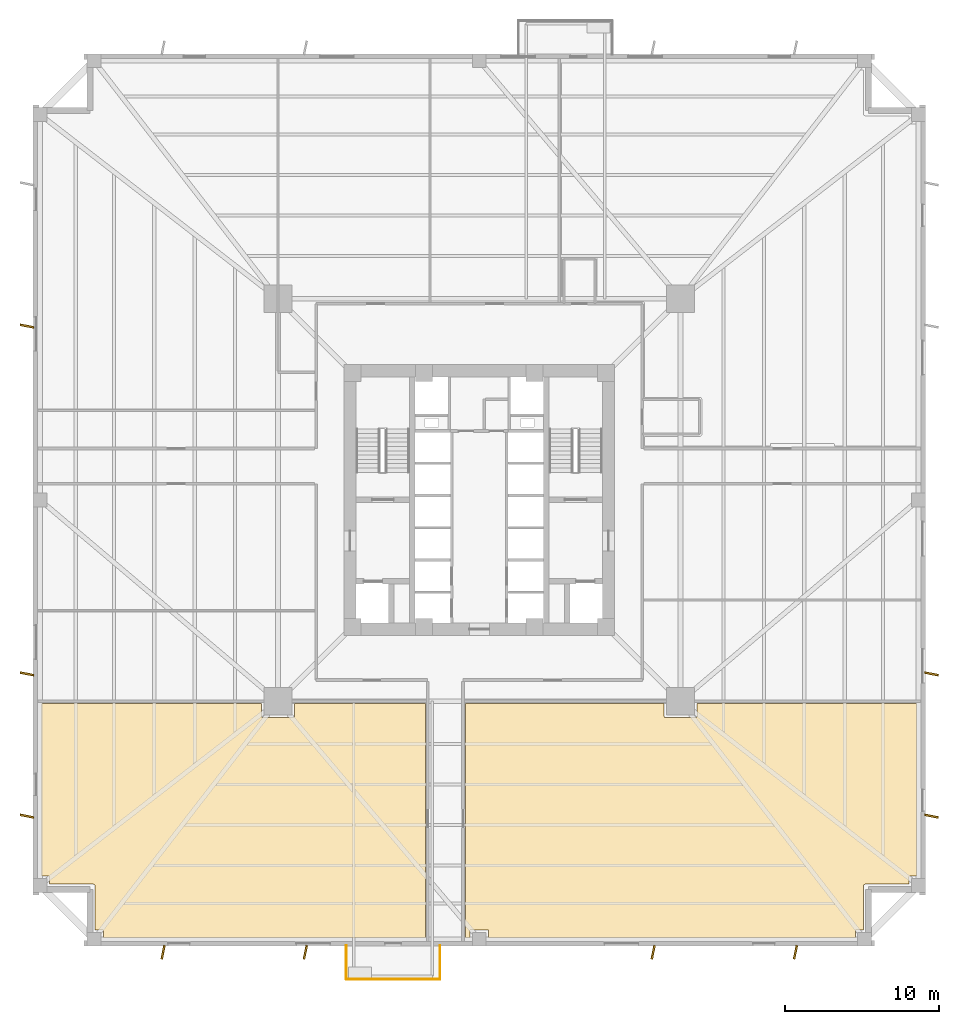
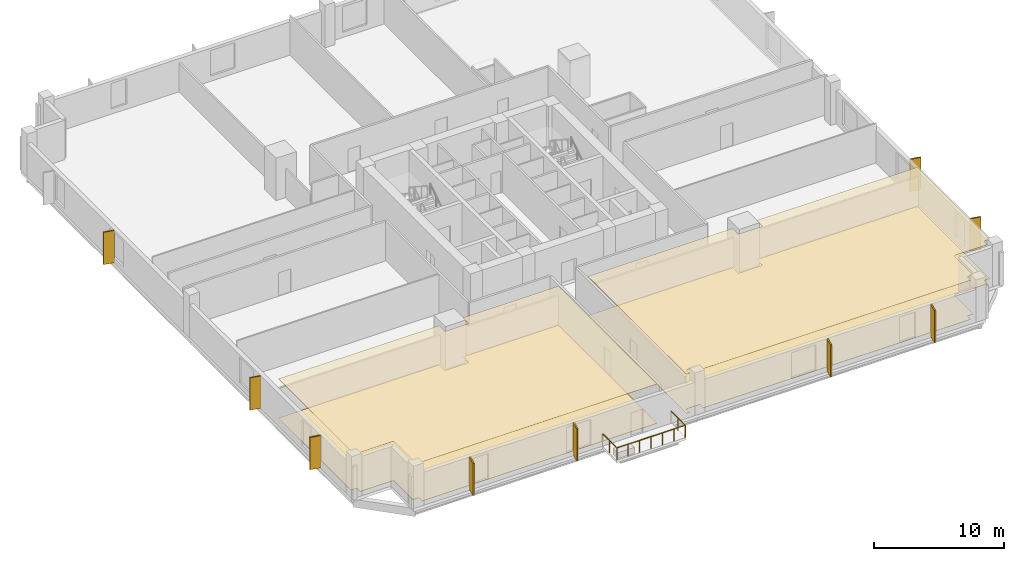
# One storey, part 6 of 8: 13 coverings, 3 railings.
"""IFC4 building model written with IfcOpenShell, lengths in metres."""

from ifc_helpers import new_model, si_unit, direction, frame, origin, origin_2d, place, context, subcontext, project, spatial, polyline, rectangle, circle, outline, extrude, source, transform, mapped, material, layer, layer_set, type_object, element, save


model = new_model("IFC4")

# Units and contexts
model_context = context("Model", 3, precision=1e-05, world=origin(), true_north=direction((0.0, 1.0)))
body_context = subcontext(model_context, "Body", "Model", "MODEL_VIEW")
ifc_project = project(units=[si_unit("LENGTHUNIT", "METRE"), si_unit("AREAUNIT", "SQUARE_METRE"), si_unit("VOLUMEUNIT", "CUBIC_METRE"), si_unit("PLANEANGLEUNIT", "RADIAN"), si_unit("MASSUNIT", "GRAM", prefix="KILO"), si_unit("THERMODYNAMICTEMPERATUREUNIT", "KELVIN")], contexts=[model_context])

# Site, building, storey
site_placement = place(None, origin())
site = spatial("IfcSite", under=ifc_project, at=site_placement, CompositionType="ELEMENT")
building_placement = place(site_placement, origin())
building = spatial("IfcBuilding", under=site, at=building_placement, Name="Kosmvard Interchange Tower", CompositionType="ELEMENT")
storey_placement = place(building_placement, frame((0.0, 0.0, 66.0)))
storey = spatial("IfcBuildingStorey", under=building, at=storey_placement, Name="L15", CompositionType="ELEMENT", Elevation=66.0)

# Coverings
ifc_material_1 = material(Name="Acoustic gypsum ceiling tile")
ifc_layer_1 = layer(ifc_material_1, 0.02490234375, Name="Acoustic gypsum ceiling tile")
ifc_layer_set_1 = layer_set([ifc_layer_1], Name="Acoustic gypsum ceiling tile")
covering_type_1 = type_object("IfcCoveringType", Name="Acoustic Perforated Suspended Ceiling 25", PredefinedType="CEILING", material=ifc_layer_set_1)
covering_1_placement = place(storey_placement, frame((0.0, 0.0, 3.695068359375)))
element("IfcCovering", 1, at=covering_1_placement, inside=storey, type_object=covering_type_1, Name="L15 Acoustic Ceiling L15-OFF3", PredefinedType="CEILING", context=body_context, shape_type="SweptSolid", body=[
    extrude(outline(polyline([(12.02099609375, -14.06103515625), (12.02099609375, -13.240966796875), (-0.89501953125, -13.240966796875), (-0.89501953125, -28.465087890625), (-0.610107421875, -28.465087890625), (-0.610107421875, -28.02001953125), (-0.609619140625, -28.01220703125), (-0.6083984375, -28.00439453125), (-0.6064453125, -27.996826171875), (-0.60400390625, -27.989501953125), (-0.6005859375, -27.982177734375), (-0.596435546875, -27.9755859375), (-0.591796875, -27.96923828125), (-0.586669921875, -27.96337890625), (-0.580810546875, -27.958251953125), (-0.574462890625, -27.953369140625), (-0.567626953125, -27.949462890625), (-0.560546875, -27.946044921875), (-0.55322265625, -27.943359375), (-0.545654296875, -27.941650390625), (-0.537841796875, -27.9404296875), (-0.530029296875, -27.93994140625), (0.530029296875, -27.93994140625), (0.537841796875, -27.9404296875), (0.545654296875, -27.941650390625), (0.55322265625, -27.943359375), (0.560546875, -27.946044921875), (0.567626953125, -27.949462890625), (0.574462890625, -27.953369140625), (0.580810546875, -27.958251953125), (0.586669921875, -27.96337890625), (0.591796875, -27.96923828125), (0.596435546875, -27.9755859375), (0.6005859375, -27.982177734375), (0.60400390625, -27.989501953125), (0.6064453125, -27.996826171875), (0.6083984375, -28.00439453125), (0.609619140625, -28.01220703125), (0.610107421875, -28.02001953125), (0.610107421875, -28.465087890625), (24.43994140625, -28.465087890625), (24.43994140625, -28.02001953125), (24.4404296875, -28.01220703125), (24.441650390625, -28.00439453125), (24.443359375, -27.996826171875), (24.446044921875, -27.989501953125), (24.449462890625, -27.982177734375), (24.453369140625, -27.9755859375), (24.458251953125, -27.96923828125), (24.46337890625, -27.96337890625), (24.46923828125, -27.958251953125), (24.4755859375, -27.953369140625), (24.482177734375, -27.949462890625), (24.489501953125, -27.946044921875), (24.496826171875, -27.943359375), (24.50439453125, -27.941650390625), (24.51220703125, -27.9404296875), (24.52001953125, -27.93994140625), (24.965087890625, -27.93994140625), (24.965087890625, -25.1201171875), (24.965087890625, -25.1162109375), (24.965576171875, -25.108642578125), (24.96630859375, -25.100830078125), (24.96728515625, -25.09375), (24.96875, -25.0859375), (24.970703125, -25.078857421875), (24.972900390625, -25.0712890625), (24.975341796875, -25.064453125), (24.978515625, -25.05712890625), (24.9814453125, -25.05029296875), (24.985107421875, -25.043701171875), (24.989013671875, -25.037353515625), (24.993408203125, -25.03076171875), (24.997802734375, -25.02490234375), (25.002685546875, -25.0185546875), (25.0078125, -25.01318359375), (25.01318359375, -25.0078125), (25.0185546875, -25.002685546875), (25.02490234375, -24.997802734375), (25.03076171875, -24.993408203125), (25.037353515625, -24.989013671875), (25.043701171875, -24.985107421875), (25.05029296875, -24.9814453125), (25.05712890625, -24.978515625), (25.064453125, -24.975341796875), (25.0712890625, -24.972900390625), (25.078857421875, -24.970703125), (25.0859375, -24.96875), (25.09375, -24.96728515625), (25.100830078125, -24.96630859375), (25.108642578125, -24.965576171875), (25.1162109375, -24.965087890625), (25.1201171875, -24.965087890625), (27.93994140625, -24.965087890625), (27.93994140625, -24.52001953125), (27.9404296875, -24.51220703125), (27.941650390625, -24.50439453125), (27.943359375, -24.496826171875), (27.946044921875, -24.489501953125), (27.949462890625, -24.482177734375), (27.953369140625, -24.4755859375), (27.958251953125, -24.46923828125), (27.96337890625, -24.46337890625), (27.96923828125, -24.458251953125), (27.9755859375, -24.453369140625), (27.982177734375, -24.449462890625), (27.989501953125, -24.446044921875), (27.996826171875, -24.443359375), (28.00439453125, -24.441650390625), (28.01220703125, -24.4404296875), (28.02001953125, -24.43994140625), (28.465087890625, -24.43994140625), (28.465087890625, -13.240966796875), (14.14111328125, -13.240966796875), (14.14111328125, -14.06103515625), (14.140625, -14.06884765625), (14.139404296875, -14.07666015625), (14.137451171875, -14.084228515625), (14.135009765625, -14.091552734375), (14.131591796875, -14.0986328125), (14.12744140625, -14.10546875), (14.122802734375, -14.11181640625), (14.11767578125, -14.11767578125), (14.11181640625, -14.122802734375), (14.10546875, -14.12744140625), (14.0986328125, -14.131591796875), (14.091552734375, -14.135009765625), (14.084228515625, -14.137451171875), (14.07666015625, -14.139404296875), (14.06884765625, -14.140625), (14.06103515625, -14.14111328125), (12.10107421875, -14.14111328125), (12.09326171875, -14.140625), (12.08544921875, -14.139404296875), (12.077880859375, -14.137451171875), (12.0703125, -14.135009765625), (12.063232421875, -14.131591796875), (12.056640625, -14.12744140625), (12.05029296875, -14.122802734375), (12.04443359375, -14.11767578125), (12.0390625, -14.11181640625), (12.034423828125, -14.10546875), (12.030517578125, -14.0986328125), (12.027099609375, -14.091552734375), (12.0244140625, -14.084228515625), (12.0224609375, -14.07666015625), (12.021484375, -14.06884765625), (12.02099609375, -14.06103515625)])), origin(), (0.0, 0.0, 1.0), 0.02490234375),
])
covering_2_placement = place(storey_placement, frame((0.0, 0.0, 3.695068359375)))
element("IfcCovering", 2, at=covering_2_placement, inside=storey, type_object=covering_type_1, Name="L15 Acoustic Ceiling L15-OFF5", PredefinedType="CEILING", context=body_context, shape_type="SweptSolid", body=[
    extrude(outline(polyline([(-24.965087890625, -27.93994140625), (-24.52001953125, -27.93994140625), (-24.51220703125, -27.9404296875), (-24.50439453125, -27.941650390625), (-24.496826171875, -27.943359375), (-24.489501953125, -27.946044921875), (-24.482177734375, -27.949462890625), (-24.4755859375, -27.953369140625), (-24.46923828125, -27.958251953125), (-24.46337890625, -27.96337890625), (-24.458251953125, -27.96923828125), (-24.453369140625, -27.9755859375), (-24.449462890625, -27.982177734375), (-24.446044921875, -27.989501953125), (-24.443359375, -27.996826171875), (-24.441650390625, -28.00439453125), (-24.4404296875, -28.01220703125), (-24.43994140625, -28.02001953125), (-24.43994140625, -28.465087890625), (-3.5048828125, -28.465087890625), (-3.5048828125, -13.240966796875), (-12.02099609375, -13.240966796875), (-12.02099609375, -14.06103515625), (-12.021484375, -14.06884765625), (-12.0224609375, -14.07666015625), (-12.0244140625, -14.084228515625), (-12.027099609375, -14.091552734375), (-12.030517578125, -14.0986328125), (-12.034423828125, -14.10546875), (-12.0390625, -14.11181640625), (-12.04443359375, -14.11767578125), (-12.05029296875, -14.122802734375), (-12.056640625, -14.12744140625), (-12.063232421875, -14.131591796875), (-12.0703125, -14.135009765625), (-12.077880859375, -14.137451171875), (-12.08544921875, -14.139404296875), (-12.09326171875, -14.140625), (-12.10107421875, -14.14111328125), (-14.06103515625, -14.14111328125), (-14.06884765625, -14.140625), (-14.07666015625, -14.139404296875), (-14.084228515625, -14.137451171875), (-14.091552734375, -14.135009765625), (-14.0986328125, -14.131591796875), (-14.10546875, -14.12744140625), (-14.11181640625, -14.122802734375), (-14.11767578125, -14.11767578125), (-14.122802734375, -14.11181640625), (-14.12744140625, -14.10546875), (-14.131591796875, -14.0986328125), (-14.135009765625, -14.091552734375), (-14.137451171875, -14.084228515625), (-14.139404296875, -14.07666015625), (-14.140625, -14.06884765625), (-14.14111328125, -14.06103515625), (-14.14111328125, -13.240966796875), (-28.465087890625, -13.240966796875), (-28.465087890625, -24.43994140625), (-28.02001953125, -24.43994140625), (-28.01220703125, -24.4404296875), (-28.00439453125, -24.441650390625), (-27.996826171875, -24.443359375), (-27.989501953125, -24.446044921875), (-27.982177734375, -24.449462890625), (-27.9755859375, -24.453369140625), (-27.96923828125, -24.458251953125), (-27.96337890625, -24.46337890625), (-27.958251953125, -24.46923828125), (-27.953369140625, -24.4755859375), (-27.949462890625, -24.482177734375), (-27.946044921875, -24.489501953125), (-27.943359375, -24.496826171875), (-27.941650390625, -24.50439453125), (-27.9404296875, -24.51220703125), (-27.93994140625, -24.52001953125), (-27.93994140625, -24.965087890625), (-25.1201171875, -24.965087890625), (-25.1162109375, -24.965087890625), (-25.108642578125, -24.965576171875), (-25.100830078125, -24.96630859375), (-25.09375, -24.96728515625), (-25.0859375, -24.96875), (-25.078857421875, -24.970703125), (-25.0712890625, -24.972900390625), (-25.064453125, -24.975341796875), (-25.05712890625, -24.978515625), (-25.05029296875, -24.9814453125), (-25.043701171875, -24.985107421875), (-25.037353515625, -24.989013671875), (-25.03076171875, -24.993408203125), (-25.02490234375, -24.997802734375), (-25.0185546875, -25.002685546875), (-25.01318359375, -25.0078125), (-25.0078125, -25.01318359375), (-25.002685546875, -25.0185546875), (-24.997802734375, -25.02490234375), (-24.993408203125, -25.03076171875), (-24.989013671875, -25.037353515625), (-24.985107421875, -25.043701171875), (-24.9814453125, -25.05029296875), (-24.978515625, -25.05712890625), (-24.975341796875, -25.064453125), (-24.972900390625, -25.0712890625), (-24.970703125, -25.078857421875), (-24.96875, -25.0859375), (-24.96728515625, -25.09375), (-24.96630859375, -25.100830078125), (-24.965576171875, -25.108642578125), (-24.965087890625, -25.1162109375), (-24.965087890625, -25.1201171875), (-24.965087890625, -27.93994140625)])), origin(), (0.0, 0.0, 1.0), 0.02490234375),
])
ifc_material_2 = material(Name="Polished terrazzo flooring")
ifc_layer_2 = layer(ifc_material_2, 0.030029296875, Name="Polished terrazzo flooring")
ifc_layer_set_2 = layer_set([ifc_layer_2], Name="Polished terrazzo flooring")
covering_type_2 = type_object("IfcCoveringType", Name="Heavy-Duty Terrazzo & Porcelain Flooring 30", PredefinedType="FLOORING", material=ifc_layer_set_2)
covering_3_placement = place(storey_placement, origin())
element("IfcCovering", 3, at=covering_3_placement, inside=storey, type_object=covering_type_2, Name="L15 Floor Finish L15-OFF3", PredefinedType="FLOORING", context=body_context, shape_type="SweptSolid", body=[
    extrude(outline(polyline([(12.02099609375, -14.06103515625), (12.02099609375, -13.240966796875), (-0.89501953125, -13.240966796875), (-0.89501953125, -28.465087890625), (-0.610107421875, -28.465087890625), (-0.610107421875, -28.02001953125), (-0.609619140625, -28.01220703125), (-0.6083984375, -28.00439453125), (-0.6064453125, -27.996826171875), (-0.60400390625, -27.989501953125), (-0.6005859375, -27.982177734375), (-0.596435546875, -27.9755859375), (-0.591796875, -27.96923828125), (-0.586669921875, -27.96337890625), (-0.580810546875, -27.958251953125), (-0.574462890625, -27.953369140625), (-0.567626953125, -27.949462890625), (-0.560546875, -27.946044921875), (-0.55322265625, -27.943359375), (-0.545654296875, -27.941650390625), (-0.537841796875, -27.9404296875), (-0.530029296875, -27.93994140625), (0.530029296875, -27.93994140625), (0.537841796875, -27.9404296875), (0.545654296875, -27.941650390625), (0.55322265625, -27.943359375), (0.560546875, -27.946044921875), (0.567626953125, -27.949462890625), (0.574462890625, -27.953369140625), (0.580810546875, -27.958251953125), (0.586669921875, -27.96337890625), (0.591796875, -27.96923828125), (0.596435546875, -27.9755859375), (0.6005859375, -27.982177734375), (0.60400390625, -27.989501953125), (0.6064453125, -27.996826171875), (0.6083984375, -28.00439453125), (0.609619140625, -28.01220703125), (0.610107421875, -28.02001953125), (0.610107421875, -28.465087890625), (24.43994140625, -28.465087890625), (24.43994140625, -28.02001953125), (24.4404296875, -28.01220703125), (24.441650390625, -28.00439453125), (24.443359375, -27.996826171875), (24.446044921875, -27.989501953125), (24.449462890625, -27.982177734375), (24.453369140625, -27.9755859375), (24.458251953125, -27.96923828125), (24.46337890625, -27.96337890625), (24.46923828125, -27.958251953125), (24.4755859375, -27.953369140625), (24.482177734375, -27.949462890625), (24.489501953125, -27.946044921875), (24.496826171875, -27.943359375), (24.50439453125, -27.941650390625), (24.51220703125, -27.9404296875), (24.52001953125, -27.93994140625), (24.965087890625, -27.93994140625), (24.965087890625, -25.1201171875), (24.965087890625, -25.1162109375), (24.965576171875, -25.108642578125), (24.96630859375, -25.100830078125), (24.96728515625, -25.09375), (24.96875, -25.0859375), (24.970703125, -25.078857421875), (24.972900390625, -25.0712890625), (24.975341796875, -25.064453125), (24.978515625, -25.05712890625), (24.9814453125, -25.05029296875), (24.985107421875, -25.043701171875), (24.989013671875, -25.037353515625), (24.993408203125, -25.03076171875), (24.997802734375, -25.02490234375), (25.002685546875, -25.0185546875), (25.0078125, -25.01318359375), (25.01318359375, -25.0078125), (25.0185546875, -25.002685546875), (25.02490234375, -24.997802734375), (25.03076171875, -24.993408203125), (25.037353515625, -24.989013671875), (25.043701171875, -24.985107421875), (25.05029296875, -24.9814453125), (25.05712890625, -24.978515625), (25.064453125, -24.975341796875), (25.0712890625, -24.972900390625), (25.078857421875, -24.970703125), (25.0859375, -24.96875), (25.09375, -24.96728515625), (25.100830078125, -24.96630859375), (25.108642578125, -24.965576171875), (25.1162109375, -24.965087890625), (25.1201171875, -24.965087890625), (27.93994140625, -24.965087890625), (27.93994140625, -24.52001953125), (27.9404296875, -24.51220703125), (27.941650390625, -24.50439453125), (27.943359375, -24.496826171875), (27.946044921875, -24.489501953125), (27.949462890625, -24.482177734375), (27.953369140625, -24.4755859375), (27.958251953125, -24.46923828125), (27.96337890625, -24.46337890625), (27.96923828125, -24.458251953125), (27.9755859375, -24.453369140625), (27.982177734375, -24.449462890625), (27.989501953125, -24.446044921875), (27.996826171875, -24.443359375), (28.00439453125, -24.441650390625), (28.01220703125, -24.4404296875), (28.02001953125, -24.43994140625), (28.465087890625, -24.43994140625), (28.465087890625, -13.240966796875), (14.14111328125, -13.240966796875), (14.14111328125, -14.06103515625), (14.140625, -14.06884765625), (14.139404296875, -14.07666015625), (14.137451171875, -14.084228515625), (14.135009765625, -14.091552734375), (14.131591796875, -14.0986328125), (14.12744140625, -14.10546875), (14.122802734375, -14.11181640625), (14.11767578125, -14.11767578125), (14.11181640625, -14.122802734375), (14.10546875, -14.12744140625), (14.0986328125, -14.131591796875), (14.091552734375, -14.135009765625), (14.084228515625, -14.137451171875), (14.07666015625, -14.139404296875), (14.06884765625, -14.140625), (14.06103515625, -14.14111328125), (12.10107421875, -14.14111328125), (12.09326171875, -14.140625), (12.08544921875, -14.139404296875), (12.077880859375, -14.137451171875), (12.0703125, -14.135009765625), (12.063232421875, -14.131591796875), (12.056640625, -14.12744140625), (12.05029296875, -14.122802734375), (12.04443359375, -14.11767578125), (12.0390625, -14.11181640625), (12.034423828125, -14.10546875), (12.030517578125, -14.0986328125), (12.027099609375, -14.091552734375), (12.0244140625, -14.084228515625), (12.0224609375, -14.07666015625), (12.021484375, -14.06884765625), (12.02099609375, -14.06103515625)])), origin(), (0.0, 0.0, 1.0), 0.030029296875),
])
covering_4_placement = place(storey_placement, origin())
element("IfcCovering", 4, at=covering_4_placement, inside=storey, type_object=covering_type_2, Name="L15 Floor Finish L15-OFF5", PredefinedType="FLOORING", context=body_context, shape_type="SweptSolid", body=[
    extrude(outline(polyline([(-24.965087890625, -27.93994140625), (-24.52001953125, -27.93994140625), (-24.51220703125, -27.9404296875), (-24.50439453125, -27.941650390625), (-24.496826171875, -27.943359375), (-24.489501953125, -27.946044921875), (-24.482177734375, -27.949462890625), (-24.4755859375, -27.953369140625), (-24.46923828125, -27.958251953125), (-24.46337890625, -27.96337890625), (-24.458251953125, -27.96923828125), (-24.453369140625, -27.9755859375), (-24.449462890625, -27.982177734375), (-24.446044921875, -27.989501953125), (-24.443359375, -27.996826171875), (-24.441650390625, -28.00439453125), (-24.4404296875, -28.01220703125), (-24.43994140625, -28.02001953125), (-24.43994140625, -28.465087890625), (-3.5048828125, -28.465087890625), (-3.5048828125, -13.240966796875), (-12.02099609375, -13.240966796875), (-12.02099609375, -14.06103515625), (-12.021484375, -14.06884765625), (-12.0224609375, -14.07666015625), (-12.0244140625, -14.084228515625), (-12.027099609375, -14.091552734375), (-12.030517578125, -14.0986328125), (-12.034423828125, -14.10546875), (-12.0390625, -14.11181640625), (-12.04443359375, -14.11767578125), (-12.05029296875, -14.122802734375), (-12.056640625, -14.12744140625), (-12.063232421875, -14.131591796875), (-12.0703125, -14.135009765625), (-12.077880859375, -14.137451171875), (-12.08544921875, -14.139404296875), (-12.09326171875, -14.140625), (-12.10107421875, -14.14111328125), (-14.06103515625, -14.14111328125), (-14.06884765625, -14.140625), (-14.07666015625, -14.139404296875), (-14.084228515625, -14.137451171875), (-14.091552734375, -14.135009765625), (-14.0986328125, -14.131591796875), (-14.10546875, -14.12744140625), (-14.11181640625, -14.122802734375), (-14.11767578125, -14.11767578125), (-14.122802734375, -14.11181640625), (-14.12744140625, -14.10546875), (-14.131591796875, -14.0986328125), (-14.135009765625, -14.091552734375), (-14.137451171875, -14.084228515625), (-14.139404296875, -14.07666015625), (-14.140625, -14.06884765625), (-14.14111328125, -14.06103515625), (-14.14111328125, -13.240966796875), (-28.465087890625, -13.240966796875), (-28.465087890625, -24.43994140625), (-28.02001953125, -24.43994140625), (-28.01220703125, -24.4404296875), (-28.00439453125, -24.441650390625), (-27.996826171875, -24.443359375), (-27.989501953125, -24.446044921875), (-27.982177734375, -24.449462890625), (-27.9755859375, -24.453369140625), (-27.96923828125, -24.458251953125), (-27.96337890625, -24.46337890625), (-27.958251953125, -24.46923828125), (-27.953369140625, -24.4755859375), (-27.949462890625, -24.482177734375), (-27.946044921875, -24.489501953125), (-27.943359375, -24.496826171875), (-27.941650390625, -24.50439453125), (-27.9404296875, -24.51220703125), (-27.93994140625, -24.52001953125), (-27.93994140625, -24.965087890625), (-25.1201171875, -24.965087890625), (-25.1162109375, -24.965087890625), (-25.108642578125, -24.965576171875), (-25.100830078125, -24.96630859375), (-25.09375, -24.96728515625), (-25.0859375, -24.96875), (-25.078857421875, -24.970703125), (-25.0712890625, -24.972900390625), (-25.064453125, -24.975341796875), (-25.05712890625, -24.978515625), (-25.05029296875, -24.9814453125), (-25.043701171875, -24.985107421875), (-25.037353515625, -24.989013671875), (-25.03076171875, -24.993408203125), (-25.02490234375, -24.997802734375), (-25.0185546875, -25.002685546875), (-25.01318359375, -25.0078125), (-25.0078125, -25.01318359375), (-25.002685546875, -25.0185546875), (-24.997802734375, -25.02490234375), (-24.993408203125, -25.03076171875), (-24.989013671875, -25.037353515625), (-24.985107421875, -25.043701171875), (-24.9814453125, -25.05029296875), (-24.978515625, -25.05712890625), (-24.975341796875, -25.064453125), (-24.972900390625, -25.0712890625), (-24.970703125, -25.078857421875), (-24.96875, -25.0859375), (-24.96728515625, -25.09375), (-24.96630859375, -25.100830078125), (-24.965576171875, -25.108642578125), (-24.965087890625, -25.1162109375), (-24.965087890625, -25.1201171875), (-24.965087890625, -27.93994140625)])), origin(), (0.0, 0.0, 1.0), 0.030029296875),
])

# Railings
ifc_material_3 = material(Name="Steel S355", Category="steel")
railing_type = type_object("IfcRailingType", Name="Observation & Balcony Glass-Infill Balustrade 1150", PredefinedType="BALUSTRADE", material=ifc_material_3)
shared_shape_1 = source(origin(), body_context, "Body", "SweptSolid", [
    extrude(circle(Radius=0.02392578125, at=origin_2d()), frame((0.0, 0.0, 1.1259765625), z_axis=(0.0, -1.0, 0.0), x_axis=(1.0, 0.0, 0.0)), (0.0, 0.0, 1.0), 2.199951171875),
    extrude(circle(Radius=0.02099609375, at=origin_2d()), origin(), (0.0, 0.0, 1.0), 1.101806640625),
    extrude(circle(Radius=0.02099609375, at=origin_2d()), frame((0.0, -1.10009765625, 0.0)), (0.0, 0.0, 1.0), 1.101806640625),
    extrude(circle(Radius=0.02099609375, at=origin_2d()), frame((0.0, -2.199951171875, 0.0)), (0.0, 0.0, 1.0), 1.101806640625),
])
railing_1_placement = place(storey_placement, frame((-8.64990234375, -28.949951171875, 0.0)))
element("IfcRailing", 5, at=railing_1_placement, inside=storey, type_object=railing_type, Name="L15 Outdoor Terrace Guard BAL-L15-S-A", PredefinedType="BALUSTRADE", context=body_context, shape_type="MappedRepresentation", body=[
    mapped(shared_shape_1, transform((0.0, 0.0, 0.0), scale=1.0)),
])
shared_shape_2 = source(origin(), body_context, "Body", "SweptSolid", [
    extrude(circle(Radius=0.02392578125, at=origin_2d()), frame((0.0, 0.0, 1.1259765625), z_axis=(1.0, 0.0, 0.0), x_axis=(0.0, 1.0, 0.0)), (0.0, 0.0, 1.0), 6.099853515625),
    extrude(circle(Radius=0.02099609375, at=origin_2d()), origin(), (0.0, 0.0, 1.0), 1.101806640625),
    extrude(circle(Radius=0.02099609375, at=origin_2d()), frame((1.0166015625, 0.0, 0.0)), (0.0, 0.0, 1.0), 1.101806640625),
    extrude(circle(Radius=0.02099609375, at=origin_2d()), frame((2.033203125, 0.0, 0.0)), (0.0, 0.0, 1.0), 1.101806640625),
    extrude(circle(Radius=0.02099609375, at=origin_2d()), frame((3.0498046875, 0.0, 0.0)), (0.0, 0.0, 1.0), 1.101806640625),
    extrude(circle(Radius=0.02099609375, at=origin_2d()), frame((4.066650390625, 0.0, 0.0)), (0.0, 0.0, 1.0), 1.101806640625),
    extrude(circle(Radius=0.02099609375, at=origin_2d()), frame((5.083251953125, 0.0, 0.0)), (0.0, 0.0, 1.0), 1.101806640625),
    extrude(circle(Radius=0.02099609375, at=origin_2d()), frame((6.099853515625, 0.0, 0.0)), (0.0, 0.0, 1.0), 1.101806640625),
])
railing_2_placement = place(storey_placement, frame((-8.64990234375, -31.14990234375, 0.0)))
element("IfcRailing", 6, at=railing_2_placement, inside=storey, type_object=railing_type, Name="L15 Outdoor Terrace Guard BAL-L15-S-B", PredefinedType="BALUSTRADE", context=body_context, shape_type="MappedRepresentation", body=[
    mapped(shared_shape_2, transform((0.0, 0.0, 0.0), scale=1.0)),
])
shared_shape_3 = source(origin(), body_context, "Body", "SweptSolid", [
    extrude(circle(Radius=0.02392578125, at=origin_2d()), frame((0.0, 0.0, 1.1259765625), z_axis=(0.0, 1.0, 0.0), x_axis=(-1.0, 0.0, 0.0)), (0.0, 0.0, 1.0), 2.199951171875),
    extrude(circle(Radius=0.02099609375, at=origin_2d()), origin(), (0.0, 0.0, 1.0), 1.101806640625),
    extrude(circle(Radius=0.02099609375, at=origin_2d()), frame((0.0, 1.10009765625, 0.0)), (0.0, 0.0, 1.0), 1.101806640625),
    extrude(circle(Radius=0.02099609375, at=origin_2d()), frame((0.0, 2.199951171875, 0.0)), (0.0, 0.0, 1.0), 1.101806640625),
])
railing_3_placement = place(storey_placement, frame((-2.550048828125, -31.14990234375, 0.0)))
element("IfcRailing", 7, at=railing_3_placement, inside=storey, type_object=railing_type, Name="L15 Outdoor Terrace Guard BAL-L15-S-C", PredefinedType="BALUSTRADE", context=body_context, shape_type="MappedRepresentation", body=[
    mapped(shared_shape_3, transform((0.0, 0.0, 0.0), scale=1.0)),
])

# Coverings
ifc_material_4 = material(Name="Architectural anodised aluminium", Category="aluminium")
ifc_layer_3 = layer(ifc_material_4, 0.1201171875, Name="Architectural anodised aluminium")
ifc_layer_set_3 = layer_set([ifc_layer_3], Name="Architectural anodised aluminium")
covering_type_3 = type_object("IfcCoveringType", Name="Rotating Vertical Sun-Breaker Fin 900x120 Aluminium", PredefinedType="CLADDING", material=ifc_layer_set_3)
shared_shape_4 = source(origin(), body_context, "Body", "SweptSolid", [
    extrude(rectangle(XDim=0.89990234375, YDim=0.1201171875, at=origin_2d()), origin(), (0.0, 0.0, 1.0), 3.0400390625),
])
for number, where, z_axis, x_axis, name in (
    (8, (-20.552001953125, -29.39990234375, 0.0400390625), (0.0, 0.0, 1.0), (-0.199196902256, -0.979959485964, 0.0), "L15 Rotating Vertical Sun-Breaker Fin 01"),
    (9, (-11.3037109375, -29.39990234375, 0.0400390625), (0.0, 0.0, 1.0), (-0.199196902256, -0.979959485964, 0.0), "L15 Rotating Vertical Sun-Breaker Fin 02"),
    (10, (11.3037109375, -29.39990234375, 0.0400390625), (0.0, 0.0, 1.0), (-0.199196902256, -0.979959485964, 0.0), "L15 Rotating Vertical Sun-Breaker Fin 03"),
    (11, (20.552001953125, -29.39990234375, 0.0400390625), (0.0, 0.0, 1.0), (-0.199196902256, -0.979959485964, 0.0), "L15 Rotating Vertical Sun-Breaker Fin 04"),
    (12, (29.39990234375, -20.552001953125, 0.0400390625), (0.0, 0.0, 1.0), (0.979959485964, -0.199196902256, 0.0), "L15 Rotating Vertical Sun-Breaker Fin 05"),
    (13, (29.39990234375, -11.3037109375, 0.0400390625), (0.0, 0.0, 1.0), (0.979959485964, -0.199196902256, 0.0), "L15 Rotating Vertical Sun-Breaker Fin 06"),
    (14, (-29.39990234375, 11.3037109375, 0.0400390625), (0.0, 0.0, 1.0), (-0.979959485964, 0.199196902256, 0.0), "L15 Rotating Vertical Sun-Breaker Fin 14"),
    (15, (-29.39990234375, -11.3037109375, 0.0400390625), (0.0, 0.0, 1.0), (-0.979959485964, 0.199196902256, 0.0), "L15 Rotating Vertical Sun-Breaker Fin 15"),
    (16, (-29.39990234375, -20.552001953125, 0.0400390625), (0.0, 0.0, 1.0), (-0.979959485964, 0.199196902256, 0.0), "L15 Rotating Vertical Sun-Breaker Fin 16"),
):
    element("IfcCovering", number, at=place(storey_placement, frame(where, z_axis=z_axis, x_axis=x_axis)), inside=storey, type_object=covering_type_3, Name=name, PredefinedType="CLADDING", context=body_context, shape_type="MappedRepresentation", body=[
        mapped(shared_shape_4, transform((0.0, 0.0, 0.0), scale=1.0)),
    ])

save(model, "model.ifc")
